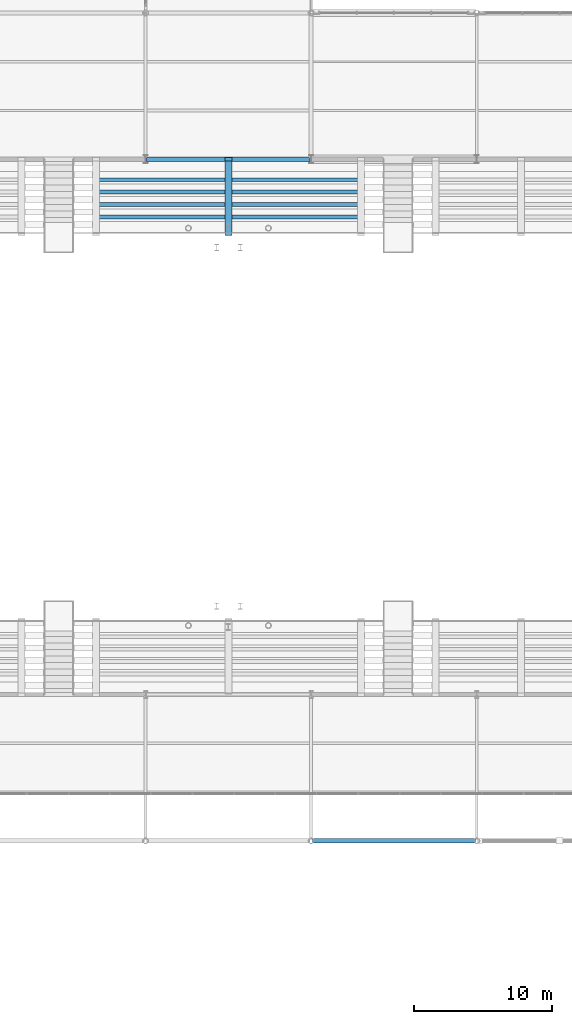
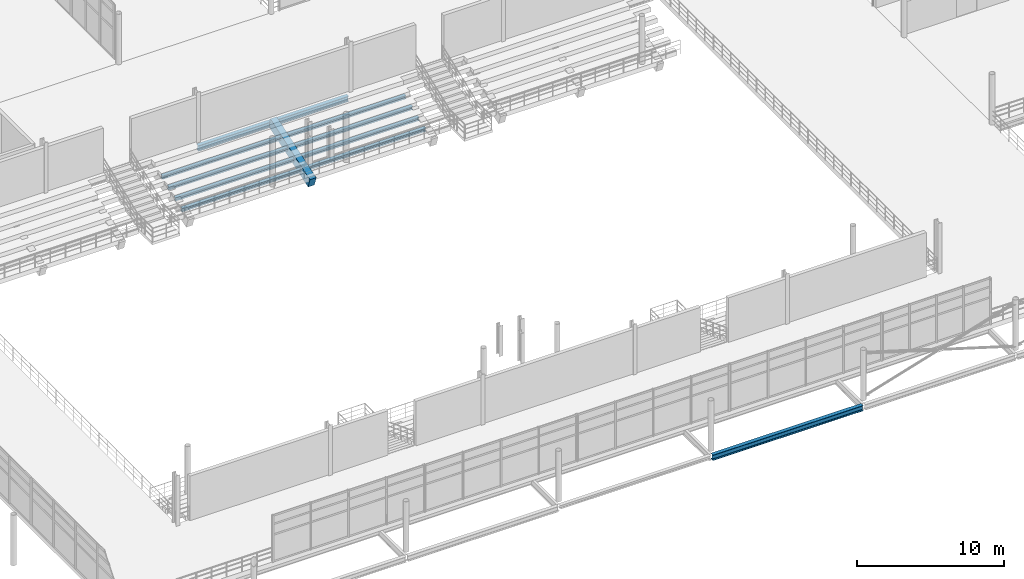
# One storey, part 30 of 89: 7 beams.
"""IFC4 building model written with IfcOpenShell, lengths in metres."""

from ifc_helpers import new_model, si_unit, direction, frame, origin, origin_2d, place, context, subcontext, project, spatial, rectangle, i_section, extrude, material, material_profile, profile_set, type_object, element, save


model = new_model("IFC4")

# Units and contexts
model_context = context("Model", 3, precision=1e-05, world=origin(), true_north=direction((0.0, 1.0)))
body_context = subcontext(model_context, "Body", "Model", "MODEL_VIEW")
ifc_project = project(units=[si_unit("LENGTHUNIT", "METRE"), si_unit("AREAUNIT", "SQUARE_METRE"), si_unit("VOLUMEUNIT", "CUBIC_METRE"), si_unit("PLANEANGLEUNIT", "RADIAN"), si_unit("MASSUNIT", "GRAM", prefix="KILO"), si_unit("THERMODYNAMICTEMPERATUREUNIT", "KELVIN"), si_unit("POWERUNIT", "WATT")], contexts=[model_context])

# Site, building, storey
site_placement = place(None, origin())
site = spatial("IfcSite", under=ifc_project, at=site_placement, CompositionType="ELEMENT")
building_placement = place(site_placement, origin())
building = spatial("IfcBuilding", under=site, at=building_placement, Name="Solmara Park Aquatics Centre", CompositionType="ELEMENT")
storey_placement = place(building_placement, frame((0.0, 0.0, 5.39990234375)))
storey = spatial("IfcBuildingStorey", under=building, at=storey_placement, Name="L01", CompositionType="ELEMENT", Elevation=5.39990234375)

# Beams
ifc_material_1 = material(Name="Structural Steel S355", Category="steel")
ifc_material_profile_1 = material_profile(ifc_material_1, i_section(OverallWidth=0.280029296875, OverallDepth=0.27001953125, WebThickness=0.008056640625, FlangeThickness=0.012939453125, FilletRadius=0.02392578125, at=origin_2d()), Name="HEA 280")
ifc_profile_set_1 = profile_set([ifc_material_profile_1], Name="Structural Steel S355")
beam_type_1 = type_object("IfcBeamType", Name="STR-BM-HEA280", PredefinedType="BEAM", material=ifc_profile_set_1)
for number, where, z_axis, x_axis, name in (
    (1, (45.0, 57.81494140625, -1.954833984375), (1.0, 0.0, 0.0), (0.0, 1.0, 0.0), "Lower Stand Cross-Tie Girder N2 Row 2"),
    (2, (45.0, 58.715087890625, -1.594970703125), (1.0, 0.0, 0.0), (0.0, 1.0, 0.0), "Lower Stand Cross-Tie Girder N2 Row 3"),
    (3, (45.0, 59.614990234375, -1.23486328125), (1.0, 0.0, 0.0), (0.0, 1.0, 0.0), "Lower Stand Cross-Tie Girder N2 Row 4"),
    (4, (45.0, 60.514892578125, -0.875), (1.0, 0.0, 0.0), (0.0, 1.0, 0.0), "Lower Stand Cross-Tie Girder N2 Row 5"),
):
    element("IfcBeam", number, at=place(storey_placement, frame(where, z_axis=z_axis, x_axis=x_axis)), inside=storey, type_object=beam_type_1, Name=name, PredefinedType="BEAM", context=body_context, shape_type="SweptSolid", body=[
        extrude(i_section(OverallWidth=0.280029296875, OverallDepth=0.27001953125, WebThickness=0.008056640625, FlangeThickness=0.012939453125, FilletRadius=0.02392578125, at=origin_2d()), origin(), (0.0, 0.0, 1.0), 19.199951171875),
    ])
ifc_material_profile_2 = material_profile(ifc_material_1, i_section(OverallWidth=0.300048828125, OverallDepth=0.449951171875, WebThickness=0.013916015625, FlangeThickness=0.02587890625, FilletRadius=0.027099609375, at=origin_2d()), Name="HEB 450")
ifc_profile_set_2 = profile_set([ifc_material_profile_2], Name="Structural Steel S355")
beam_type_2 = type_object("IfcBeamType", Name="STR-BM-HEB450", PredefinedType="BEAM", material=ifc_profile_set_2)
for number, where, z_axis, x_axis, name in (
    (5, (60.679931640625, 12.60009765625, -0.625), (1.0, 0.0, 0.0), (0.0, 1.0, 0.0), "Girder BM-L01-0169"),
    (6, (48.679931640625, 62.0, -0.625), (1.0, 0.0, 0.0), (0.0, 1.0, 0.0), "Girder BM-L01-0179"),
):
    element("IfcBeam", number, at=place(storey_placement, frame(where, z_axis=z_axis, x_axis=x_axis)), inside=storey, type_object=beam_type_2, Name=name, PredefinedType="BEAM", context=body_context, shape_type="SweptSolid", body=[
        extrude(i_section(OverallWidth=0.300048828125, OverallDepth=0.449951171875, WebThickness=0.013916015625, FlangeThickness=0.02587890625, FilletRadius=0.027099609375, at=origin_2d()), origin(), (0.0, 0.0, 1.0), 11.840087890625),
    ])
ifc_material_2 = material(Name="Concrete C40/50", Category="concrete")
ifc_material_profile_3 = material_profile(ifc_material_2, rectangle(XDim=0.5, YDim=0.800048828125, at=origin_2d()), Name="RC 500x800")
ifc_profile_set_3 = profile_set([ifc_material_profile_3], Name="Concrete C40/50")
beam_type_3 = type_object("IfcBeamType", Name="STR-RKR-RC500x800", PredefinedType="USERDEFINED", material=ifc_profile_set_3)
beam_placement = place(storey_placement, frame((54.60009765625, 56.60009765625, -2.31982421875), z_axis=(0.0, 0.948691876161, 0.316202030521), x_axis=(-1.0, 0.0, 0.0)))
element("IfcBeam", 7, at=beam_placement, inside=storey, type_object=beam_type_3, Name="Spectator Stand RAKER Girder RKR-005", ObjectType="RAKER", PredefinedType="USERDEFINED", context=body_context, shape_type="SweptSolid", body=[
    extrude(rectangle(XDim=0.5, YDim=0.800048828125, at=origin_2d()), origin(), (0.0, 0.0, 1.0), 5.69189453125),
])

save(model, "model.ifc")
